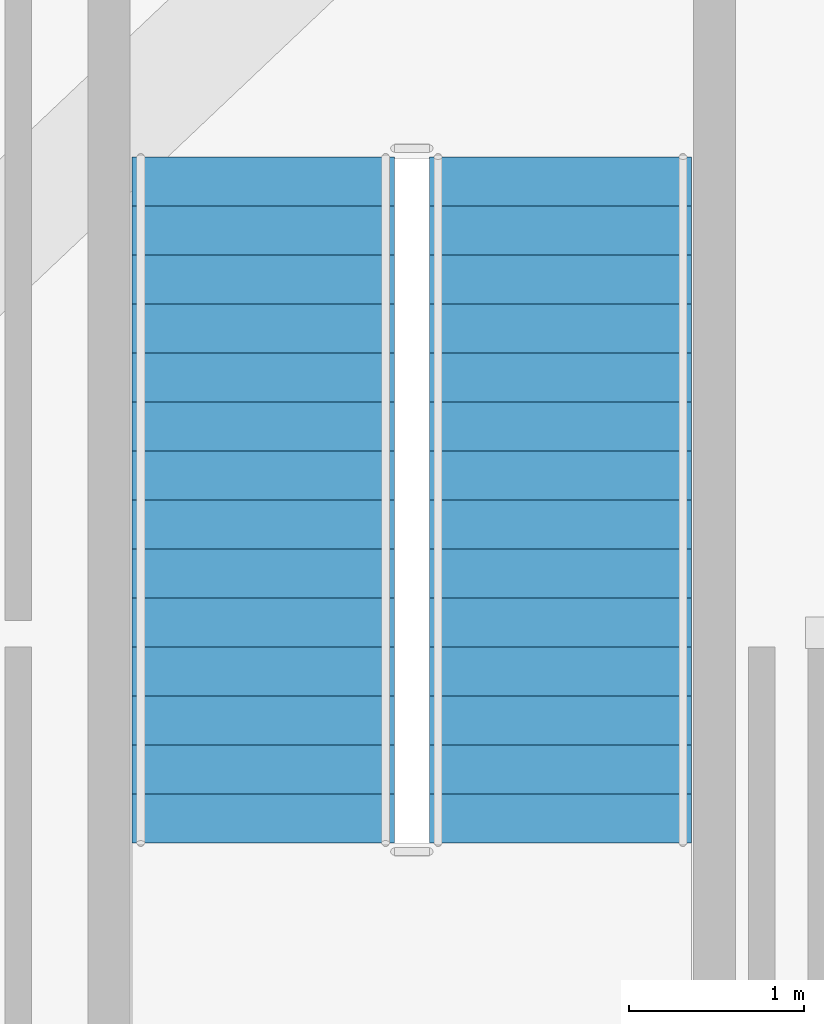
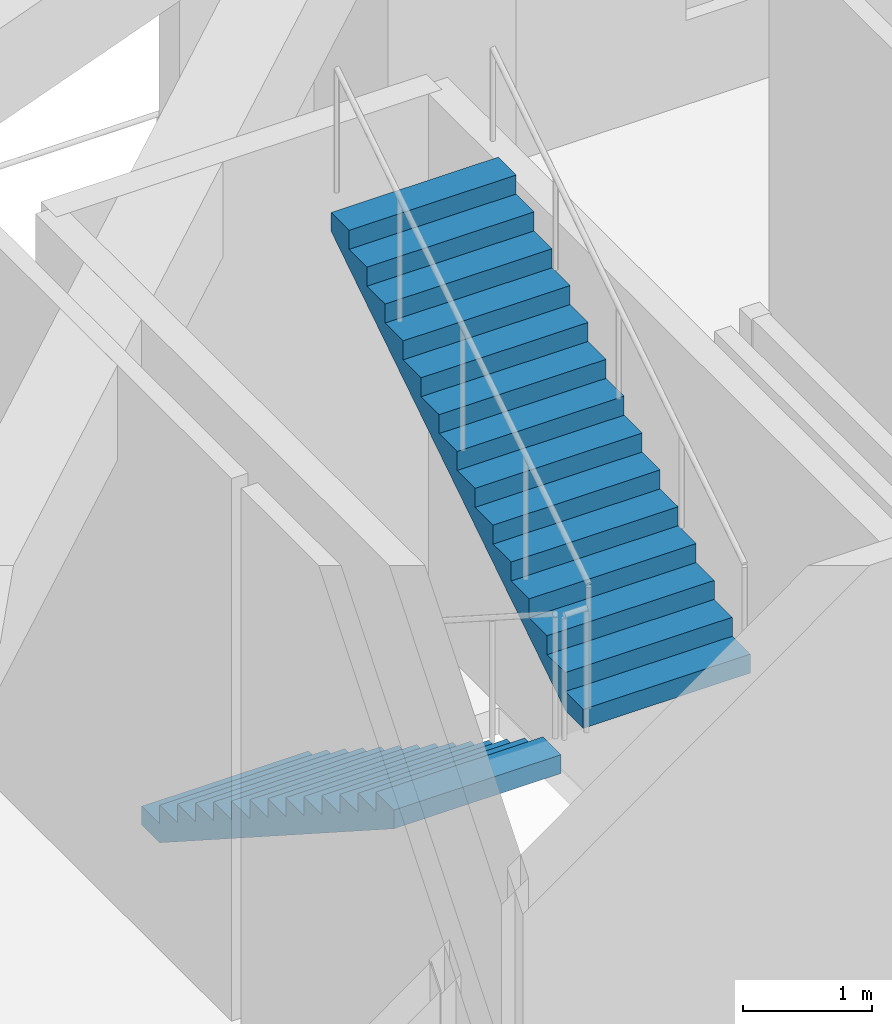
# One storey, part 12 of 18: 2 stair flights, 1 element without a shape of its own.
"""IFC4 building model written with IfcOpenShell, lengths in metres."""

from ifc_helpers import new_model, si_unit, direction, frame, origin, place, context, subcontext, project, spatial, polyline, outline, extrude, material, type_object, element, aggregate, save


model = new_model("IFC4")

# Units and contexts
model_context = context("Model", 3, precision=1e-05, world=origin(), true_north=direction((0.0, 1.0)))
body_context = subcontext(model_context, "Body", "Model", "MODEL_VIEW")
ifc_project = project(units=[si_unit("LENGTHUNIT", "METRE"), si_unit("AREAUNIT", "SQUARE_METRE"), si_unit("VOLUMEUNIT", "CUBIC_METRE"), si_unit("PLANEANGLEUNIT", "RADIAN"), si_unit("MASSUNIT", "GRAM", prefix="KILO")], contexts=[model_context])

# Site, building, storey
site_placement = place(None, origin())
site = spatial("IfcSite", under=ifc_project, at=site_placement, CompositionType="ELEMENT")
building_placement = place(site_placement, origin())
building = spatial("IfcBuilding", under=site, at=building_placement, Name="Gaonmaruhae Medical Tower", CompositionType="ELEMENT")
storey_placement = place(building_placement, frame((0.0, 0.0, 16.199951171875)))
storey = spatial("IfcBuildingStorey", under=building, at=storey_placement, Name="L03", CompositionType="ELEMENT", Elevation=16.199951171875)

# Stair, stair flights
ifc_material = material(Name="Concrete C40/50", Category="concrete")
stair_type = type_object("IfcStairType", Name="ST-T3 Podium Escape Dogleg Stair", PredefinedType="TWO_QUARTER_TURN_STAIR", material=ifc_material)
stair_placement = place(storey_placement, origin())
stair = element("IfcStair", 1, at=stair_placement, inside=storey, type_object=stair_type, Name="L03 Protected Escape Stair ST-05", PredefinedType="TWO_QUARTER_TURN_STAIR")
stair_flight_type = type_object("IfcStairFlightType", Name="SF-T3 Podium Precast Stair Flight", PredefinedType="STRAIGHT", material=ifc_material)
stair_flight_1_placement = place(storey_placement, frame((11.949951171875, 44.300048828125, 0.0), z_axis=(0.0, 0.0, 1.0), x_axis=(0.0, -1.0, 0.0)))
stair_flight_1 = element("IfcStairFlight", 2, at=stair_flight_1_placement, type_object=stair_flight_type, Name="ST-05 flight 1", NumberOfRisers=15, NumberOfTreads=14, PredefinedType="STRAIGHT", RiserHeight=0.18, TreadLength=0.28, context=body_context, shape_type="SweptSolid", body=[
    extrude(outline(polyline([(0.0, 0.0), (0.0, 0.179931640625), (0.280029296875, 0.179931640625), (0.280029296875, 0.360107421875), (0.56005859375, 0.360107421875), (0.56005859375, 0.5400390625), (0.840087890625, 0.5400390625), (0.840087890625, 0.719970703125), (1.1201171875, 0.719970703125), (1.1201171875, 0.89990234375), (1.39990234375, 0.89990234375), (1.39990234375, 1.080078125), (1.679931640625, 1.080078125), (1.679931640625, 1.260009765625), (1.9599609375, 1.260009765625), (1.9599609375, 1.43994140625), (2.239990234375, 1.43994140625), (2.239990234375, 1.6201171875), (2.52001953125, 1.6201171875), (2.52001953125, 1.800048828125), (2.800048828125, 1.800048828125), (2.800048828125, 1.97998046875), (3.080078125, 1.97998046875), (3.080078125, 2.159912109375), (3.360107421875, 2.159912109375), (3.360107421875, 2.340087890625), (3.639892578125, 2.340087890625), (3.639892578125, 2.52001953125), (3.919921875, 2.52001953125), (3.919921875, 2.699951171875), (3.919921875, 2.341796875), (0.277099609375, 0.0), (0.0, 0.0)])), frame((0.0, 0.75, 0.0), z_axis=(0.0, -1.0, 0.0), x_axis=(1.0, 0.0, 0.0)), (0.0, 0.0, 1.0), 1.5),
])
stair_flight_2_placement = place(storey_placement, frame((13.64990234375, 40.3798828125, 2.699951171875), z_axis=(0.0, 0.0, 1.0), x_axis=(0.0, 1.0, 0.0)))
stair_flight_2 = element("IfcStairFlight", 3, at=stair_flight_2_placement, type_object=stair_flight_type, Name="ST-05 flight 2", NumberOfRisers=15, NumberOfTreads=14, PredefinedType="STRAIGHT", RiserHeight=0.18, TreadLength=0.28, context=body_context, shape_type="SweptSolid", body=[
    extrude(outline(polyline([(0.0, 0.0), (0.0, 0.179931640625), (0.280029296875, 0.179931640625), (0.280029296875, 0.360107421875), (0.56005859375, 0.360107421875), (0.56005859375, 0.5400390625), (0.840087890625, 0.5400390625), (0.840087890625, 0.719970703125), (1.1201171875, 0.719970703125), (1.1201171875, 0.89990234375), (1.39990234375, 0.89990234375), (1.39990234375, 1.080078125), (1.679931640625, 1.080078125), (1.679931640625, 1.260009765625), (1.9599609375, 1.260009765625), (1.9599609375, 1.43994140625), (2.239990234375, 1.43994140625), (2.239990234375, 1.6201171875), (2.52001953125, 1.6201171875), (2.52001953125, 1.800048828125), (2.800048828125, 1.800048828125), (2.800048828125, 1.97998046875), (3.080078125, 1.97998046875), (3.080078125, 2.159912109375), (3.360107421875, 2.159912109375), (3.360107421875, 2.340087890625), (3.639892578125, 2.340087890625), (3.639892578125, 2.52001953125), (3.919921875, 2.52001953125), (3.919921875, 2.699951171875), (3.919921875, 2.341796875), (0.277099609375, 0.0), (0.0, 0.0)])), frame((0.0, 0.75, 0.0), z_axis=(0.0, -1.0, 0.0), x_axis=(1.0, 0.0, 0.0)), (0.0, 0.0, 1.0), 1.5),
])
aggregate(stair, [stair_flight_1, stair_flight_2])

save(model, "model.ifc")
